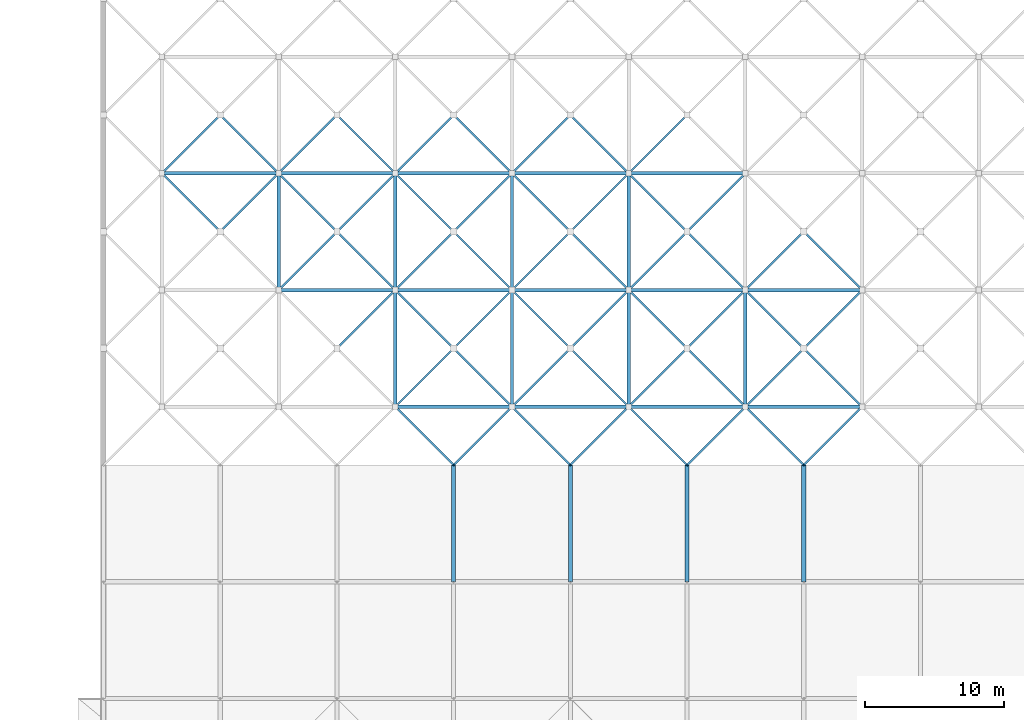
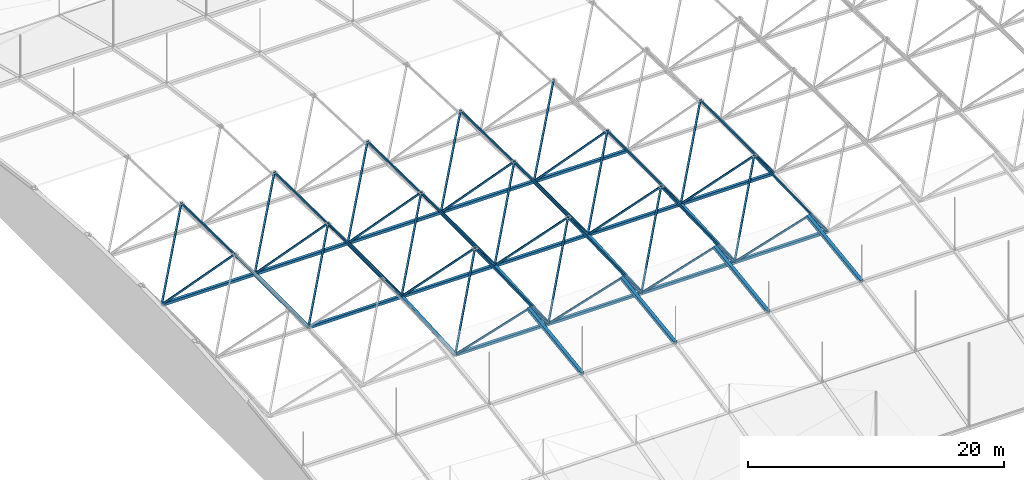
# One storey, part 5 of 111: 80 members.
"""IFC4 building model written with IfcOpenShell, lengths in metres."""

from ifc_helpers import new_model, si_unit, direction, frame, origin, origin_2d, place, context, subcontext, project, spatial, hollow_rectangle, extrude, material, material_profile, profile_set, type_object, element, save


model = new_model("IFC4")

# Units and contexts
model_context = context("Model", 3, precision=1e-05, world=origin(), true_north=direction((0.0, 1.0)))
body_context = subcontext(model_context, "Body", "Model", "MODEL_VIEW")
ifc_project = project(units=[si_unit("LENGTHUNIT", "METRE"), si_unit("AREAUNIT", "SQUARE_METRE"), si_unit("VOLUMEUNIT", "CUBIC_METRE"), si_unit("PLANEANGLEUNIT", "RADIAN"), si_unit("MASSUNIT", "GRAM", prefix="KILO")], contexts=[model_context])

# Site, building, storey
site_placement = place(None, origin())
site = spatial("IfcSite", under=ifc_project, at=site_placement, CompositionType="ELEMENT")
building_placement = place(site_placement, origin())
building = spatial("IfcBuilding", under=site, at=building_placement, Name="Rain Tree Exposition and Congress Centre", CompositionType="ELEMENT")
storey_placement = place(building_placement, frame((0.0, 0.0, 19.5)))
storey = spatial("IfcBuildingStorey", under=building, at=storey_placement, Name="RF", CompositionType="ELEMENT", Elevation=19.5)

# Members
ifc_material_1 = material(Name="Steel S355J2H", Category="steel")
ifc_material_profile_1 = material_profile(ifc_material_1, hollow_rectangle(XDim=0.14990234375, YDim=0.14990234375, WallThickness=0.00439453125, at=origin_2d()), Name="RHS 150x150x4.5")
ifc_profile_set_1 = profile_set([ifc_material_profile_1], Name="Steel S355J2H")
member_type_1 = type_object("IfcMemberType", Name="Steel brace member RHS 150x150x4.5", PredefinedType="BRACE", material=ifc_profile_set_1)
member_1_placement = place(storey_placement, frame((29.39990234375, 138.60009765625, 0.38818359375), z_axis=(0.520986564258, -0.520986564258, 0.676125727749), x_axis=(0.707106781187, 0.707106781187, 0.0)))
element("IfcMember", 1, at=member_1_placement, inside=storey, type_object=member_type_1, Name="Diagonal 708", PredefinedType="BRACE", context=body_context, shape_type="SweptSolid", body=[
    extrude(hollow_rectangle(XDim=0.14990234375, YDim=0.14990234375, WallThickness=0.00439453125, at=origin_2d()), origin(), (0.0, 0.0, 1.0), 8.06201171875),
])
member_2_placement = place(storey_placement, frame((29.39990234375, 138.60009765625, 0.38818359375), z_axis=(0.491886905994, 0.491858314567, 0.718416780221), x_axis=(-0.70708622964, 0.707127332136, 0.0)))
element("IfcMember", 2, at=member_2_placement, inside=storey, type_object=member_type_1, Name="Diagonal 710", PredefinedType="BRACE", context=body_context, shape_type="SweptSolid", body=[
    extrude(hollow_rectangle(XDim=0.14990234375, YDim=0.14990234375, WallThickness=0.00439453125, at=origin_2d()), origin(), (0.0, 0.0, 1.0), 8.5390625),
])
for number, where, z_axis, x_axis, name in (
    (3, (37.800048828125, 138.60009765625, 0.38818359375), (-0.520964500452, -0.520994783804, 0.676136394907), (0.707127332136, -0.70708622964, 0.0), "Diagonal 713"),
    (4, (37.800048828125, 138.60009765625, 0.38818359375), (0.520964500452, -0.520994783804, 0.676136394907), (0.707127332136, 0.70708622964, 0.0), "Diagonal 714"),
):
    element("IfcMember", number, at=place(storey_placement, frame(where, z_axis=z_axis, x_axis=x_axis)), inside=storey, type_object=member_type_1, Name=name, PredefinedType="BRACE", context=body_context, shape_type="SweptSolid", body=[
        extrude(hollow_rectangle(XDim=0.14990234375, YDim=0.14990234375, WallThickness=0.00439453125, at=origin_2d()), origin(), (0.0, 0.0, 1.0), 8.061767578125),
    ])
for number, where, z_axis, x_axis, name in (
    (5, (37.800048828125, 138.60009765625, 0.38818359375), (-0.491865231884, 0.491865231884, 0.718426883773), (-0.707106781187, -0.707106781187, 0.0), "Diagonal 715"),
    (6, (37.800048828125, 138.60009765625, 0.38818359375), (0.491865231884, 0.491865231884, 0.718426883773), (-0.707106781187, 0.707106781187, 0.0), "Diagonal 716"),
):
    element("IfcMember", number, at=place(storey_placement, frame(where, z_axis=z_axis, x_axis=x_axis)), inside=storey, type_object=member_type_1, Name=name, PredefinedType="BRACE", context=body_context, shape_type="SweptSolid", body=[
        extrude(hollow_rectangle(XDim=0.14990234375, YDim=0.14990234375, WallThickness=0.00439453125, at=origin_2d()), origin(), (0.0, 0.0, 1.0), 8.538818359375),
    ])
for number, where, z_axis, x_axis, name in (
    (7, (46.199951171875, 138.60009765625, 0.38818359375), (-0.520964500452, -0.520994783804, 0.676136394907), (0.707127332136, -0.70708622964, 0.0), "Diagonal 719"),
    (8, (46.199951171875, 138.60009765625, 0.38818359375), (0.520964500452, -0.520994783804, 0.676136394907), (0.707127332136, 0.70708622964, 0.0), "Diagonal 720"),
):
    element("IfcMember", number, at=place(storey_placement, frame(where, z_axis=z_axis, x_axis=x_axis)), inside=storey, type_object=member_type_1, Name=name, PredefinedType="BRACE", context=body_context, shape_type="SweptSolid", body=[
        extrude(hollow_rectangle(XDim=0.14990234375, YDim=0.14990234375, WallThickness=0.00439453125, at=origin_2d()), origin(), (0.0, 0.0, 1.0), 8.061767578125),
    ])
for number, where, z_axis, x_axis, name in (
    (9, (46.199951171875, 138.60009765625, 0.38818359375), (-0.491865231884, 0.491865231884, 0.718426883773), (-0.707106781187, -0.707106781187, 0.0), "Diagonal 721"),
    (10, (46.199951171875, 138.60009765625, 0.38818359375), (0.491865231884, 0.491865231884, 0.718426883773), (-0.707106781187, 0.707106781187, 0.0), "Diagonal 722"),
):
    element("IfcMember", number, at=place(storey_placement, frame(where, z_axis=z_axis, x_axis=x_axis)), inside=storey, type_object=member_type_1, Name=name, PredefinedType="BRACE", context=body_context, shape_type="SweptSolid", body=[
        extrude(hollow_rectangle(XDim=0.14990234375, YDim=0.14990234375, WallThickness=0.00439453125, at=origin_2d()), origin(), (0.0, 0.0, 1.0), 8.538818359375),
    ])
member_3_placement = place(storey_placement, frame((54.60009765625, 138.60009765625, 0.38818359375), z_axis=(-0.520986564258, -0.520986564258, 0.676125727749), x_axis=(0.707106781187, -0.707106781187, 0.0)))
element("IfcMember", 11, at=member_3_placement, inside=storey, type_object=member_type_1, Name="Diagonal 725", PredefinedType="BRACE", context=body_context, shape_type="SweptSolid", body=[
    extrude(hollow_rectangle(XDim=0.14990234375, YDim=0.14990234375, WallThickness=0.00439453125, at=origin_2d()), origin(), (0.0, 0.0, 1.0), 8.06201171875),
])
member_4_placement = place(storey_placement, frame((54.60009765625, 138.60009765625, 0.38818359375), z_axis=(0.520964500452, -0.520994783804, 0.676136394907), x_axis=(0.707127332136, 0.70708622964, 0.0)))
element("IfcMember", 12, at=member_4_placement, inside=storey, type_object=member_type_1, Name="Diagonal 726", PredefinedType="BRACE", context=body_context, shape_type="SweptSolid", body=[
    extrude(hollow_rectangle(XDim=0.14990234375, YDim=0.14990234375, WallThickness=0.00439453125, at=origin_2d()), origin(), (0.0, 0.0, 1.0), 8.061767578125),
])
member_5_placement = place(storey_placement, frame((54.60009765625, 138.60009765625, 0.38818359375), z_axis=(-0.491886905994, 0.491858314567, 0.718416780221), x_axis=(-0.70708622964, -0.707127332136, 0.0)))
element("IfcMember", 13, at=member_5_placement, inside=storey, type_object=member_type_1, Name="Diagonal 727", PredefinedType="BRACE", context=body_context, shape_type="SweptSolid", body=[
    extrude(hollow_rectangle(XDim=0.14990234375, YDim=0.14990234375, WallThickness=0.00439453125, at=origin_2d()), origin(), (0.0, 0.0, 1.0), 8.5390625),
])
member_6_placement = place(storey_placement, frame((54.60009765625, 138.60009765625, 0.38818359375), z_axis=(0.491865231884, 0.491865231884, 0.718426883773), x_axis=(-0.707106781187, 0.707106781187, 0.0)))
element("IfcMember", 14, at=member_6_placement, inside=storey, type_object=member_type_1, Name="Diagonal 728", PredefinedType="BRACE", context=body_context, shape_type="SweptSolid", body=[
    extrude(hollow_rectangle(XDim=0.14990234375, YDim=0.14990234375, WallThickness=0.00439453125, at=origin_2d()), origin(), (0.0, 0.0, 1.0), 8.538818359375),
])
member_7_placement = place(storey_placement, frame((63.0, 138.60009765625, 0.38818359375), z_axis=(-0.520964500452, -0.520994783804, 0.676136394907), x_axis=(0.707127332136, -0.70708622964, 0.0)))
element("IfcMember", 15, at=member_7_placement, inside=storey, type_object=member_type_1, Name="Diagonal 731", PredefinedType="BRACE", context=body_context, shape_type="SweptSolid", body=[
    extrude(hollow_rectangle(XDim=0.14990234375, YDim=0.14990234375, WallThickness=0.00439453125, at=origin_2d()), origin(), (0.0, 0.0, 1.0), 8.061767578125),
])
member_8_placement = place(storey_placement, frame((63.0, 138.60009765625, 0.38818359375), z_axis=(-0.491865231884, 0.491865231884, 0.718426883773), x_axis=(-0.707106781187, -0.707106781187, 0.0)))
element("IfcMember", 16, at=member_8_placement, inside=storey, type_object=member_type_1, Name="Diagonal 733", PredefinedType="BRACE", context=body_context, shape_type="SweptSolid", body=[
    extrude(hollow_rectangle(XDim=0.14990234375, YDim=0.14990234375, WallThickness=0.00439453125, at=origin_2d()), origin(), (0.0, 0.0, 1.0), 8.538818359375),
])
member_9_placement = place(storey_placement, frame((21.0, 147.0, 0.84326171875), z_axis=(0.501386241307, 0.501386241307, 0.705140889507), x_axis=(-0.707106781187, 0.707106781187, 0.0)))
element("IfcMember", 17, at=member_9_placement, inside=storey, type_object=member_type_1, Name="Diagonal 787", PredefinedType="BRACE", context=body_context, shape_type="SweptSolid", body=[
    extrude(hollow_rectangle(XDim=0.14990234375, YDim=0.14990234375, WallThickness=0.00439453125, at=origin_2d()), origin(), (0.0, 0.0, 1.0), 8.376708984375),
])
for number, where, z_axis, x_axis, name in (
    (18, (29.39990234375, 147.0, 0.84326171875), (-0.511068324122, -0.511068324122, 0.691099367788), (0.707106781187, -0.707106781187, 0.0), "Diagonal 790"),
    (19, (29.39990234375, 147.0, 0.84326171875), (0.511090272234, -0.511060564592, 0.691088874854), (0.70708622964, 0.707127332136, 0.0), "Diagonal 791"),
):
    element("IfcMember", number, at=place(storey_placement, frame(where, z_axis=z_axis, x_axis=x_axis)), inside=storey, type_object=member_type_1, Name=name, PredefinedType="BRACE", context=body_context, shape_type="SweptSolid", body=[
        extrude(hollow_rectangle(XDim=0.14990234375, YDim=0.14990234375, WallThickness=0.00439453125, at=origin_2d()), origin(), (0.0, 0.0, 1.0), 8.218017578125),
    ])
for number, where, z_axis, x_axis, name in (
    (20, (29.39990234375, 147.0, 0.84326171875), (-0.501386241307, 0.501386241307, 0.705140889507), (-0.707106781187, -0.707106781187, 0.0), "Diagonal 792"),
    (21, (29.39990234375, 147.0, 0.84326171875), (0.50140805933, 0.501378914477, 0.70513058518), (-0.70708622964, 0.707127332136, 0.0), "Diagonal 793"),
):
    element("IfcMember", number, at=place(storey_placement, frame(where, z_axis=z_axis, x_axis=x_axis)), inside=storey, type_object=member_type_1, Name=name, PredefinedType="BRACE", context=body_context, shape_type="SweptSolid", body=[
        extrude(hollow_rectangle(XDim=0.14990234375, YDim=0.14990234375, WallThickness=0.00439453125, at=origin_2d()), origin(), (0.0, 0.0, 1.0), 8.376708984375),
    ])
for number, where, z_axis, x_axis, name in (
    (22, (37.800048828125, 147.0, 0.84326171875), (-0.511068324122, -0.511068324122, 0.691099367788), (0.707106781187, -0.707106781187, 0.0), "Diagonal 796"),
    (23, (37.800048828125, 147.0, 0.84326171875), (0.511068324122, -0.511068324122, 0.691099367788), (0.707106781187, 0.707106781187, 0.0), "Diagonal 797"),
):
    element("IfcMember", number, at=place(storey_placement, frame(where, z_axis=z_axis, x_axis=x_axis)), inside=storey, type_object=member_type_1, Name=name, PredefinedType="BRACE", context=body_context, shape_type="SweptSolid", body=[
        extrude(hollow_rectangle(XDim=0.14990234375, YDim=0.14990234375, WallThickness=0.00439453125, at=origin_2d()), origin(), (0.0, 0.0, 1.0), 8.218017578125),
    ])
for number, where, z_axis, x_axis, name in (
    (24, (37.800048828125, 147.0, 0.84326171875), (-0.501386241307, 0.501386241307, 0.705140889507), (-0.707106781187, -0.707106781187, 0.0), "Diagonal 798"),
    (25, (37.800048828125, 147.0, 0.84326171875), (0.501386241307, 0.501386241307, 0.705140889507), (-0.707106781187, 0.707106781187, 0.0), "Diagonal 799"),
):
    element("IfcMember", number, at=place(storey_placement, frame(where, z_axis=z_axis, x_axis=x_axis)), inside=storey, type_object=member_type_1, Name=name, PredefinedType="BRACE", context=body_context, shape_type="SweptSolid", body=[
        extrude(hollow_rectangle(XDim=0.14990234375, YDim=0.14990234375, WallThickness=0.00439453125, at=origin_2d()), origin(), (0.0, 0.0, 1.0), 8.376708984375),
    ])
for number, where, z_axis, x_axis, name in (
    (26, (46.199951171875, 147.0, 0.84326171875), (-0.511068324122, -0.511068324122, 0.691099367788), (0.707106781187, -0.707106781187, 0.0), "Diagonal 802"),
    (27, (46.199951171875, 147.0, 0.84326171875), (0.511068324122, -0.511068324122, 0.691099367788), (0.707106781187, 0.707106781187, 0.0), "Diagonal 803"),
):
    element("IfcMember", number, at=place(storey_placement, frame(where, z_axis=z_axis, x_axis=x_axis)), inside=storey, type_object=member_type_1, Name=name, PredefinedType="BRACE", context=body_context, shape_type="SweptSolid", body=[
        extrude(hollow_rectangle(XDim=0.14990234375, YDim=0.14990234375, WallThickness=0.00439453125, at=origin_2d()), origin(), (0.0, 0.0, 1.0), 8.218017578125),
    ])
for number, where, z_axis, x_axis, name in (
    (28, (46.199951171875, 147.0, 0.84326171875), (-0.501386241307, 0.501386241307, 0.705140889507), (-0.707106781187, -0.707106781187, 0.0), "Diagonal 804"),
    (29, (46.199951171875, 147.0, 0.84326171875), (0.501386241307, 0.501386241307, 0.705140889507), (-0.707106781187, 0.707106781187, 0.0), "Diagonal 805"),
):
    element("IfcMember", number, at=place(storey_placement, frame(where, z_axis=z_axis, x_axis=x_axis)), inside=storey, type_object=member_type_1, Name=name, PredefinedType="BRACE", context=body_context, shape_type="SweptSolid", body=[
        extrude(hollow_rectangle(XDim=0.14990234375, YDim=0.14990234375, WallThickness=0.00439453125, at=origin_2d()), origin(), (0.0, 0.0, 1.0), 8.376708984375),
    ])
for number, where, z_axis, x_axis, name in (
    (30, (54.60009765625, 147.0, 0.84326171875), (-0.511090272234, -0.511060564592, 0.691088874854), (0.70708622964, -0.707127332136, 0.0), "Diagonal 808"),
    (31, (54.60009765625, 147.0, 0.84326171875), (0.511068324122, -0.511068324122, 0.691099367788), (0.707106781187, 0.707106781187, 0.0), "Diagonal 809"),
):
    element("IfcMember", number, at=place(storey_placement, frame(where, z_axis=z_axis, x_axis=x_axis)), inside=storey, type_object=member_type_1, Name=name, PredefinedType="BRACE", context=body_context, shape_type="SweptSolid", body=[
        extrude(hollow_rectangle(XDim=0.14990234375, YDim=0.14990234375, WallThickness=0.00439453125, at=origin_2d()), origin(), (0.0, 0.0, 1.0), 8.218017578125),
    ])
for number, where, z_axis, x_axis, name in (
    (32, (54.60009765625, 147.0, 0.84326171875), (-0.50140805933, 0.501378914477, 0.70513058518), (-0.70708622964, -0.707127332136, 0.0), "Diagonal 810"),
    (33, (54.60009765625, 147.0, 0.84326171875), (0.501386241307, 0.501386241307, 0.705140889507), (-0.707106781187, 0.707106781187, 0.0), "Diagonal 811"),
):
    element("IfcMember", number, at=place(storey_placement, frame(where, z_axis=z_axis, x_axis=x_axis)), inside=storey, type_object=member_type_1, Name=name, PredefinedType="BRACE", context=body_context, shape_type="SweptSolid", body=[
        extrude(hollow_rectangle(XDim=0.14990234375, YDim=0.14990234375, WallThickness=0.00439453125, at=origin_2d()), origin(), (0.0, 0.0, 1.0), 8.376708984375),
    ])
member_10_placement = place(storey_placement, frame((63.0, 147.0, 0.84326171875), z_axis=(-0.511068324122, -0.511068324122, 0.691099367788), x_axis=(0.707106781187, -0.707106781187, 0.0)))
element("IfcMember", 34, at=member_10_placement, inside=storey, type_object=member_type_1, Name="Diagonal 814", PredefinedType="BRACE", context=body_context, shape_type="SweptSolid", body=[
    extrude(hollow_rectangle(XDim=0.14990234375, YDim=0.14990234375, WallThickness=0.00439453125, at=origin_2d()), origin(), (0.0, 0.0, 1.0), 8.218017578125),
])
for number, where, z_axis, x_axis, name in (
    (35, (63.0, 147.0, 0.84326171875), (-0.501386241307, 0.501386241307, 0.705140889507), (-0.707106781187, -0.707106781187, 0.0), "Diagonal 816"),
    (36, (12.60009765625, 155.39990234375, 0.84326171875), (0.501386241307, -0.501386241307, 0.705140889507), (0.707106781187, 0.707106781187, 0.0), "Diagonal 862"),
):
    element("IfcMember", number, at=place(storey_placement, frame(where, z_axis=z_axis, x_axis=x_axis)), inside=storey, type_object=member_type_1, Name=name, PredefinedType="BRACE", context=body_context, shape_type="SweptSolid", body=[
        extrude(hollow_rectangle(XDim=0.14990234375, YDim=0.14990234375, WallThickness=0.00439453125, at=origin_2d()), origin(), (0.0, 0.0, 1.0), 8.376708984375),
    ])
member_11_placement = place(storey_placement, frame((12.60009765625, 155.39990234375, 0.84326171875), z_axis=(0.511060564592, 0.511090272234, 0.691088874854), x_axis=(-0.707127332136, 0.70708622964, 0.0)))
element("IfcMember", 37, at=member_11_placement, inside=storey, type_object=member_type_1, Name="Diagonal 864", PredefinedType="BRACE", context=body_context, shape_type="SweptSolid", body=[
    extrude(hollow_rectangle(XDim=0.14990234375, YDim=0.14990234375, WallThickness=0.00439453125, at=origin_2d()), origin(), (0.0, 0.0, 1.0), 8.218017578125),
])
for number, where, z_axis, x_axis, name in (
    (38, (21.0, 155.39990234375, 0.84326171875), (-0.501386241307, -0.501386241307, 0.705140889507), (0.707106781187, -0.707106781187, 0.0), "Diagonal 867"),
    (39, (21.0, 155.39990234375, 0.84326171875), (0.501386241307, -0.501386241307, 0.705140889507), (0.707106781187, 0.707106781187, 0.0), "Diagonal 868"),
):
    element("IfcMember", number, at=place(storey_placement, frame(where, z_axis=z_axis, x_axis=x_axis)), inside=storey, type_object=member_type_1, Name=name, PredefinedType="BRACE", context=body_context, shape_type="SweptSolid", body=[
        extrude(hollow_rectangle(XDim=0.14990234375, YDim=0.14990234375, WallThickness=0.00439453125, at=origin_2d()), origin(), (0.0, 0.0, 1.0), 8.376708984375),
    ])
for number, where, z_axis, x_axis, name in (
    (40, (21.0, 155.39990234375, 0.84326171875), (-0.511060564592, 0.511090272234, 0.691088874854), (-0.707127332136, -0.70708622964, 0.0), "Diagonal 869"),
    (41, (21.0, 155.39990234375, 0.84326171875), (0.511060564592, 0.511090272234, 0.691088874854), (-0.707127332136, 0.70708622964, 0.0), "Diagonal 870"),
):
    element("IfcMember", number, at=place(storey_placement, frame(where, z_axis=z_axis, x_axis=x_axis)), inside=storey, type_object=member_type_1, Name=name, PredefinedType="BRACE", context=body_context, shape_type="SweptSolid", body=[
        extrude(hollow_rectangle(XDim=0.14990234375, YDim=0.14990234375, WallThickness=0.00439453125, at=origin_2d()), origin(), (0.0, 0.0, 1.0), 8.218017578125),
    ])
for number, where, z_axis, x_axis, name in (
    (42, (29.39990234375, 155.39990234375, 0.84326171875), (-0.501386241307, -0.501386241307, 0.705140889507), (0.707106781187, -0.707106781187, 0.0), "Diagonal 873"),
    (43, (29.39990234375, 155.39990234375, 0.84326171875), (0.50140805933, -0.501378914477, 0.70513058518), (0.70708622964, 0.707127332136, 0.0), "Diagonal 874"),
):
    element("IfcMember", number, at=place(storey_placement, frame(where, z_axis=z_axis, x_axis=x_axis)), inside=storey, type_object=member_type_1, Name=name, PredefinedType="BRACE", context=body_context, shape_type="SweptSolid", body=[
        extrude(hollow_rectangle(XDim=0.14990234375, YDim=0.14990234375, WallThickness=0.00439453125, at=origin_2d()), origin(), (0.0, 0.0, 1.0), 8.376708984375),
    ])
member_12_placement = place(storey_placement, frame((29.39990234375, 155.39990234375, 0.84326171875), z_axis=(-0.511060564592, 0.511090272234, 0.691088874854), x_axis=(-0.707127332136, -0.70708622964, 0.0)))
element("IfcMember", 44, at=member_12_placement, inside=storey, type_object=member_type_1, Name="Diagonal 875", PredefinedType="BRACE", context=body_context, shape_type="SweptSolid", body=[
    extrude(hollow_rectangle(XDim=0.14990234375, YDim=0.14990234375, WallThickness=0.00439453125, at=origin_2d()), origin(), (0.0, 0.0, 1.0), 8.218017578125),
])
member_13_placement = place(storey_placement, frame((29.39990234375, 155.39990234375, 0.84326171875), z_axis=(0.511082512606, 0.511082512606, 0.691078382397), x_axis=(-0.707106781187, 0.707106781187, 0.0)))
element("IfcMember", 45, at=member_13_placement, inside=storey, type_object=member_type_1, Name="Diagonal 876", PredefinedType="BRACE", context=body_context, shape_type="SweptSolid", body=[
    extrude(hollow_rectangle(XDim=0.14990234375, YDim=0.14990234375, WallThickness=0.00439453125, at=origin_2d()), origin(), (0.0, 0.0, 1.0), 8.21826171875),
])
for number, where, z_axis, x_axis, name in (
    (46, (37.800048828125, 155.39990234375, 0.84326171875), (-0.501386241307, -0.501386241307, 0.705140889507), (0.707106781187, -0.707106781187, 0.0), "Diagonal 879"),
    (47, (37.800048828125, 155.39990234375, 0.84326171875), (0.501386241307, -0.501386241307, 0.705140889507), (0.707106781187, 0.707106781187, 0.0), "Diagonal 880"),
):
    element("IfcMember", number, at=place(storey_placement, frame(where, z_axis=z_axis, x_axis=x_axis)), inside=storey, type_object=member_type_1, Name=name, PredefinedType="BRACE", context=body_context, shape_type="SweptSolid", body=[
        extrude(hollow_rectangle(XDim=0.14990234375, YDim=0.14990234375, WallThickness=0.00439453125, at=origin_2d()), origin(), (0.0, 0.0, 1.0), 8.376708984375),
    ])
for number, where, z_axis, x_axis, name in (
    (48, (37.800048828125, 155.39990234375, 0.84326171875), (-0.511060564592, 0.511090272234, 0.691088874854), (-0.707127332136, -0.70708622964, 0.0), "Diagonal 881"),
    (49, (37.800048828125, 155.39990234375, 0.84326171875), (0.511060564592, 0.511090272234, 0.691088874854), (-0.707127332136, 0.70708622964, 0.0), "Diagonal 882"),
):
    element("IfcMember", number, at=place(storey_placement, frame(where, z_axis=z_axis, x_axis=x_axis)), inside=storey, type_object=member_type_1, Name=name, PredefinedType="BRACE", context=body_context, shape_type="SweptSolid", body=[
        extrude(hollow_rectangle(XDim=0.14990234375, YDim=0.14990234375, WallThickness=0.00439453125, at=origin_2d()), origin(), (0.0, 0.0, 1.0), 8.218017578125),
    ])
for number, where, z_axis, x_axis, name in (
    (50, (46.199951171875, 155.39990234375, 0.84326171875), (-0.501386241307, -0.501386241307, 0.705140889507), (0.707106781187, -0.707106781187, 0.0), "Diagonal 885"),
    (51, (46.199951171875, 155.39990234375, 0.84326171875), (0.501386241307, -0.501386241307, 0.705140889507), (0.707106781187, 0.707106781187, 0.0), "Diagonal 886"),
):
    element("IfcMember", number, at=place(storey_placement, frame(where, z_axis=z_axis, x_axis=x_axis)), inside=storey, type_object=member_type_1, Name=name, PredefinedType="BRACE", context=body_context, shape_type="SweptSolid", body=[
        extrude(hollow_rectangle(XDim=0.14990234375, YDim=0.14990234375, WallThickness=0.00439453125, at=origin_2d()), origin(), (0.0, 0.0, 1.0), 8.376708984375),
    ])
for number, where, z_axis, x_axis, name in (
    (52, (46.199951171875, 155.39990234375, 0.84326171875), (-0.511060564592, 0.511090272234, 0.691088874854), (-0.707127332136, -0.70708622964, 0.0), "Diagonal 887"),
    (53, (46.199951171875, 155.39990234375, 0.84326171875), (0.511060564592, 0.511090272234, 0.691088874854), (-0.707127332136, 0.70708622964, 0.0), "Diagonal 888"),
):
    element("IfcMember", number, at=place(storey_placement, frame(where, z_axis=z_axis, x_axis=x_axis)), inside=storey, type_object=member_type_1, Name=name, PredefinedType="BRACE", context=body_context, shape_type="SweptSolid", body=[
        extrude(hollow_rectangle(XDim=0.14990234375, YDim=0.14990234375, WallThickness=0.00439453125, at=origin_2d()), origin(), (0.0, 0.0, 1.0), 8.218017578125),
    ])
member_14_placement = place(storey_placement, frame((54.60009765625, 155.39990234375, 0.84326171875), z_axis=(-0.50140805933, -0.501378914477, 0.70513058518), x_axis=(0.70708622964, -0.707127332136, 0.0)))
element("IfcMember", 54, at=member_14_placement, inside=storey, type_object=member_type_1, Name="Diagonal 891", PredefinedType="BRACE", context=body_context, shape_type="SweptSolid", body=[
    extrude(hollow_rectangle(XDim=0.14990234375, YDim=0.14990234375, WallThickness=0.00439453125, at=origin_2d()), origin(), (0.0, 0.0, 1.0), 8.376708984375),
])
ifc_material_2 = material(Name="Steel S355J2H", Category="steel")
ifc_material_profile_2 = material_profile(ifc_material_2, hollow_rectangle(XDim=0.25, YDim=0.25, WallThickness=0.006103515625, at=origin_2d()), Name="RHS 250x250x6")
ifc_profile_set_2 = profile_set([ifc_material_profile_2], Name="Steel S355J2H")
member_type_2 = type_object("IfcMemberType", Name="Steel chord member RHS 250x250x6", PredefinedType="CHORD", material=ifc_profile_set_2)
member_15_placement = place(storey_placement, frame((29.39990234375, 138.60009765625, 0.38818359375), z_axis=(1.0, 0.0, 0.0), x_axis=(0.0, 1.0, 0.0)))
element("IfcMember", 55, at=member_15_placement, inside=storey, type_object=member_type_2, Name="Bottom chord 711", PredefinedType="CHORD", context=body_context, shape_type="SweptSolid", body=[
    extrude(hollow_rectangle(XDim=0.25, YDim=0.25, WallThickness=0.006103515625, at=origin_2d()), origin(), (0.0, 0.0, 1.0), 8.400146484375),
])
member_16_placement = place(storey_placement, frame((29.39990234375, 138.60009765625, 0.38818359375), z_axis=(0.0, 0.998535670844, 0.054097264734), x_axis=(-1.0, 0.0, 0.0)))
element("IfcMember", 56, at=member_16_placement, inside=storey, type_object=member_type_2, Name="Bottom chord 712", PredefinedType="CHORD", context=body_context, shape_type="SweptSolid", body=[
    extrude(hollow_rectangle(XDim=0.25, YDim=0.25, WallThickness=0.006103515625, at=origin_2d()), origin(), (0.0, 0.0, 1.0), 8.412109375),
])
member_17_placement = place(storey_placement, frame((37.800048828125, 138.60009765625, 0.38818359375), z_axis=(1.0, 0.0, 0.0), x_axis=(0.0, 1.0, 0.0)))
element("IfcMember", 57, at=member_17_placement, inside=storey, type_object=member_type_2, Name="Bottom chord 717", PredefinedType="CHORD", context=body_context, shape_type="SweptSolid", body=[
    extrude(hollow_rectangle(XDim=0.25, YDim=0.25, WallThickness=0.006103515625, at=origin_2d()), origin(), (0.0, 0.0, 1.0), 8.39990234375),
])
member_18_placement = place(storey_placement, frame((37.800048828125, 138.60009765625, 0.38818359375), z_axis=(0.0, 0.998535670844, 0.054097264734), x_axis=(-1.0, 0.0, 0.0)))
element("IfcMember", 58, at=member_18_placement, inside=storey, type_object=member_type_2, Name="Bottom chord 718", PredefinedType="CHORD", context=body_context, shape_type="SweptSolid", body=[
    extrude(hollow_rectangle(XDim=0.25, YDim=0.25, WallThickness=0.006103515625, at=origin_2d()), origin(), (0.0, 0.0, 1.0), 8.412109375),
])
member_19_placement = place(storey_placement, frame((46.199951171875, 138.60009765625, 0.38818359375), z_axis=(1.0, 0.0, 0.0), x_axis=(0.0, 1.0, 0.0)))
element("IfcMember", 59, at=member_19_placement, inside=storey, type_object=member_type_2, Name="Bottom chord 723", PredefinedType="CHORD", context=body_context, shape_type="SweptSolid", body=[
    extrude(hollow_rectangle(XDim=0.25, YDim=0.25, WallThickness=0.006103515625, at=origin_2d()), origin(), (0.0, 0.0, 1.0), 8.400146484375),
])
member_20_placement = place(storey_placement, frame((46.199951171875, 138.60009765625, 0.38818359375), z_axis=(0.0, 0.998535670844, 0.054097264734), x_axis=(-1.0, 0.0, 0.0)))
element("IfcMember", 60, at=member_20_placement, inside=storey, type_object=member_type_2, Name="Bottom chord 724", PredefinedType="CHORD", context=body_context, shape_type="SweptSolid", body=[
    extrude(hollow_rectangle(XDim=0.25, YDim=0.25, WallThickness=0.006103515625, at=origin_2d()), origin(), (0.0, 0.0, 1.0), 8.412109375),
])
member_21_placement = place(storey_placement, frame((54.60009765625, 138.60009765625, 0.38818359375), z_axis=(1.0, 0.0, 0.0), x_axis=(0.0, 1.0, 0.0)))
element("IfcMember", 61, at=member_21_placement, inside=storey, type_object=member_type_2, Name="Bottom chord 729", PredefinedType="CHORD", context=body_context, shape_type="SweptSolid", body=[
    extrude(hollow_rectangle(XDim=0.25, YDim=0.25, WallThickness=0.006103515625, at=origin_2d()), origin(), (0.0, 0.0, 1.0), 8.39990234375),
])
member_22_placement = place(storey_placement, frame((54.60009765625, 138.60009765625, 0.38818359375), z_axis=(0.0, 0.998535670844, 0.054097264734), x_axis=(-1.0, 0.0, 0.0)))
element("IfcMember", 62, at=member_22_placement, inside=storey, type_object=member_type_2, Name="Bottom chord 730", PredefinedType="CHORD", context=body_context, shape_type="SweptSolid", body=[
    extrude(hollow_rectangle(XDim=0.25, YDim=0.25, WallThickness=0.006103515625, at=origin_2d()), origin(), (0.0, 0.0, 1.0), 8.412109375),
])
for number, where, z_axis, x_axis, name in (
    (63, (21.0, 147.0, 0.84326171875), (1.0, 0.0, 0.0), (0.0, 1.0, 0.0), "Bottom chord 788"),
    (64, (21.0, 147.0, 0.84326171875), (0.0, 1.0, 0.0), (-1.0, 0.0, 0.0), "Bottom chord 789"),
):
    element("IfcMember", number, at=place(storey_placement, frame(where, z_axis=z_axis, x_axis=x_axis)), inside=storey, type_object=member_type_2, Name=name, PredefinedType="CHORD", context=body_context, shape_type="SweptSolid", body=[
        extrude(hollow_rectangle(XDim=0.25, YDim=0.25, WallThickness=0.006103515625, at=origin_2d()), origin(), (0.0, 0.0, 1.0), 8.39990234375),
    ])
member_23_placement = place(storey_placement, frame((29.39990234375, 147.0, 0.84326171875), z_axis=(1.0, 0.0, 0.0), x_axis=(0.0, 1.0, 0.0)))
element("IfcMember", 65, at=member_23_placement, inside=storey, type_object=member_type_2, Name="Bottom chord 794", PredefinedType="CHORD", context=body_context, shape_type="SweptSolid", body=[
    extrude(hollow_rectangle(XDim=0.25, YDim=0.25, WallThickness=0.006103515625, at=origin_2d()), origin(), (0.0, 0.0, 1.0), 8.400146484375),
])
for number, where, z_axis, x_axis, name in (
    (66, (29.39990234375, 147.0, 0.84326171875), (0.0, 1.0, 0.0), (-1.0, 0.0, 0.0), "Bottom chord 795"),
    (67, (37.800048828125, 147.0, 0.84326171875), (1.0, 0.0, 0.0), (0.0, 1.0, 0.0), "Bottom chord 800"),
    (68, (37.800048828125, 147.0, 0.84326171875), (0.0, 1.0, 0.0), (-1.0, 0.0, 0.0), "Bottom chord 801"),
):
    element("IfcMember", number, at=place(storey_placement, frame(where, z_axis=z_axis, x_axis=x_axis)), inside=storey, type_object=member_type_2, Name=name, PredefinedType="CHORD", context=body_context, shape_type="SweptSolid", body=[
        extrude(hollow_rectangle(XDim=0.25, YDim=0.25, WallThickness=0.006103515625, at=origin_2d()), origin(), (0.0, 0.0, 1.0), 8.39990234375),
    ])
member_24_placement = place(storey_placement, frame((46.199951171875, 147.0, 0.84326171875), z_axis=(1.0, 0.0, 0.0), x_axis=(0.0, 1.0, 0.0)))
element("IfcMember", 69, at=member_24_placement, inside=storey, type_object=member_type_2, Name="Bottom chord 806", PredefinedType="CHORD", context=body_context, shape_type="SweptSolid", body=[
    extrude(hollow_rectangle(XDim=0.25, YDim=0.25, WallThickness=0.006103515625, at=origin_2d()), origin(), (0.0, 0.0, 1.0), 8.400146484375),
])
for number, where, z_axis, x_axis, name in (
    (70, (46.199951171875, 147.0, 0.84326171875), (0.0, 1.0, 0.0), (-1.0, 0.0, 0.0), "Bottom chord 807"),
    (71, (54.60009765625, 147.0, 0.84326171875), (1.0, 0.0, 0.0), (0.0, 1.0, 0.0), "Bottom chord 812"),
    (72, (12.60009765625, 155.39990234375, 0.84326171875), (1.0, 0.0, 0.0), (0.0, 1.0, 0.0), "Bottom chord 865"),
    (73, (21.0, 155.39990234375, 0.84326171875), (1.0, 0.0, 0.0), (0.0, 1.0, 0.0), "Bottom chord 871"),
):
    element("IfcMember", number, at=place(storey_placement, frame(where, z_axis=z_axis, x_axis=x_axis)), inside=storey, type_object=member_type_2, Name=name, PredefinedType="CHORD", context=body_context, shape_type="SweptSolid", body=[
        extrude(hollow_rectangle(XDim=0.25, YDim=0.25, WallThickness=0.006103515625, at=origin_2d()), origin(), (0.0, 0.0, 1.0), 8.39990234375),
    ])
member_25_placement = place(storey_placement, frame((29.39990234375, 155.39990234375, 0.84326171875), z_axis=(1.0, 0.0, 0.0), x_axis=(0.0, 1.0, 0.0)))
element("IfcMember", 74, at=member_25_placement, inside=storey, type_object=member_type_2, Name="Bottom chord 877", PredefinedType="CHORD", context=body_context, shape_type="SweptSolid", body=[
    extrude(hollow_rectangle(XDim=0.25, YDim=0.25, WallThickness=0.006103515625, at=origin_2d()), origin(), (0.0, 0.0, 1.0), 8.400146484375),
])
member_26_placement = place(storey_placement, frame((37.800048828125, 155.39990234375, 0.84326171875), z_axis=(1.0, 0.0, 0.0), x_axis=(0.0, 1.0, 0.0)))
element("IfcMember", 75, at=member_26_placement, inside=storey, type_object=member_type_2, Name="Bottom chord 883", PredefinedType="CHORD", context=body_context, shape_type="SweptSolid", body=[
    extrude(hollow_rectangle(XDim=0.25, YDim=0.25, WallThickness=0.006103515625, at=origin_2d()), origin(), (0.0, 0.0, 1.0), 8.39990234375),
])
member_27_placement = place(storey_placement, frame((46.199951171875, 155.39990234375, 0.84326171875), z_axis=(1.0, 0.0, 0.0), x_axis=(0.0, 1.0, 0.0)))
element("IfcMember", 76, at=member_27_placement, inside=storey, type_object=member_type_2, Name="Bottom chord 889", PredefinedType="CHORD", context=body_context, shape_type="SweptSolid", body=[
    extrude(hollow_rectangle(XDim=0.25, YDim=0.25, WallThickness=0.006103515625, at=origin_2d()), origin(), (0.0, 0.0, 1.0), 8.400146484375),
])
ifc_material_3 = material(Name="Steel S355J2H", Category="steel")
ifc_material_profile_3 = material_profile(ifc_material_3, hollow_rectangle(XDim=0.300048828125, YDim=0.300048828125, WallThickness=0.009033203125, at=origin_2d()), Name="RHS 300x300x9")
ifc_profile_set_3 = profile_set([ifc_material_profile_3], Name="Steel S355J2H")
member_type_3 = type_object("IfcMemberType", Name="Steel chord member RHS 300x300x9", PredefinedType="CHORD", material=ifc_profile_set_3)
for number, where, z_axis, x_axis, name in (
    (77, (33.60009765625, 126.0, 4.693115234375), (0.0, 0.990821403915, 0.135177459454), (-1.0, 0.0, 0.0), "Top chord 222"),
    (78, (42.0, 126.0, 4.693115234375), (0.0, 0.990821403915, 0.135177459454), (-1.0, 0.0, 0.0), "Top chord 234"),
    (79, (50.39990234375, 126.0, 4.693115234375), (0.0, 0.990821403915, 0.135177459454), (-1.0, 0.0, 0.0), "Top chord 246"),
    (80, (58.800048828125, 126.0, 4.693115234375), (0.0, 0.990821403915, 0.135177459454), (-1.0, 0.0, 0.0), "Top chord 258"),
):
    element("IfcMember", number, at=place(storey_placement, frame(where, z_axis=z_axis, x_axis=x_axis)), inside=storey, type_object=member_type_3, Name=name, PredefinedType="CHORD", context=body_context, shape_type="SweptSolid", body=[
        extrude(hollow_rectangle(XDim=0.300048828125, YDim=0.300048828125, WallThickness=0.009033203125, at=origin_2d()), origin(), (0.0, 0.0, 1.0), 8.477783203125),
    ])

save(model, "model.ifc")
